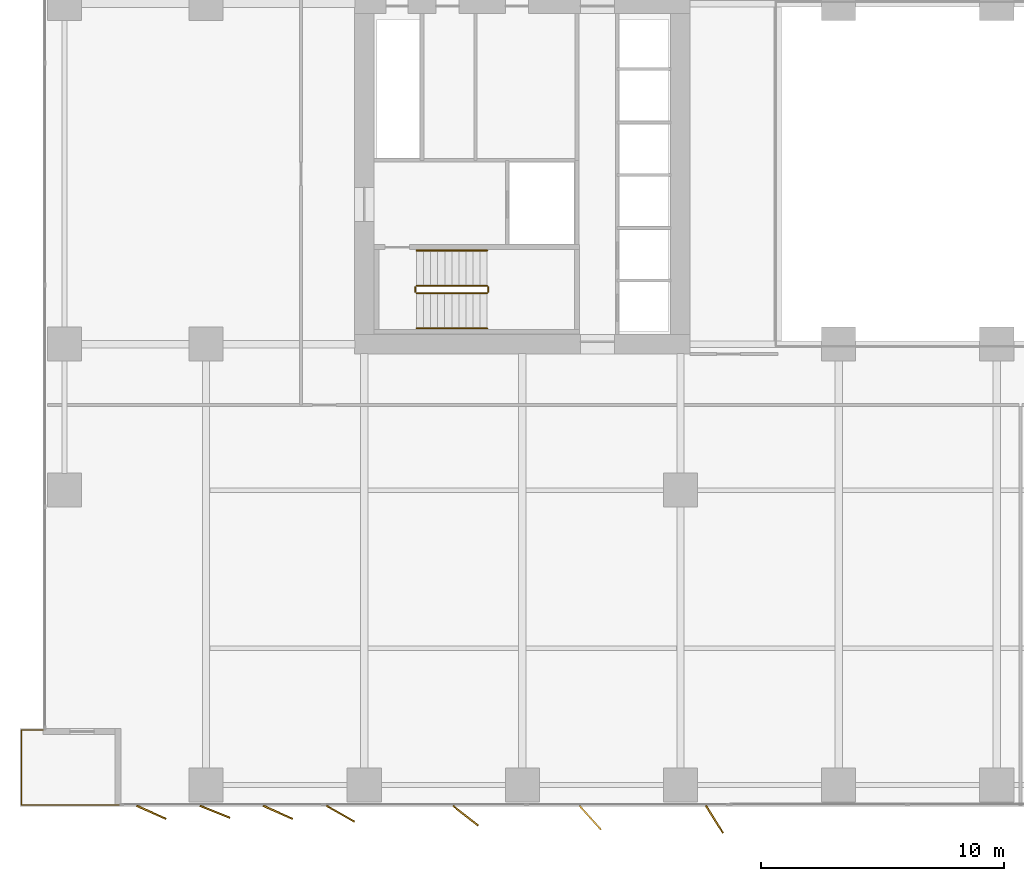
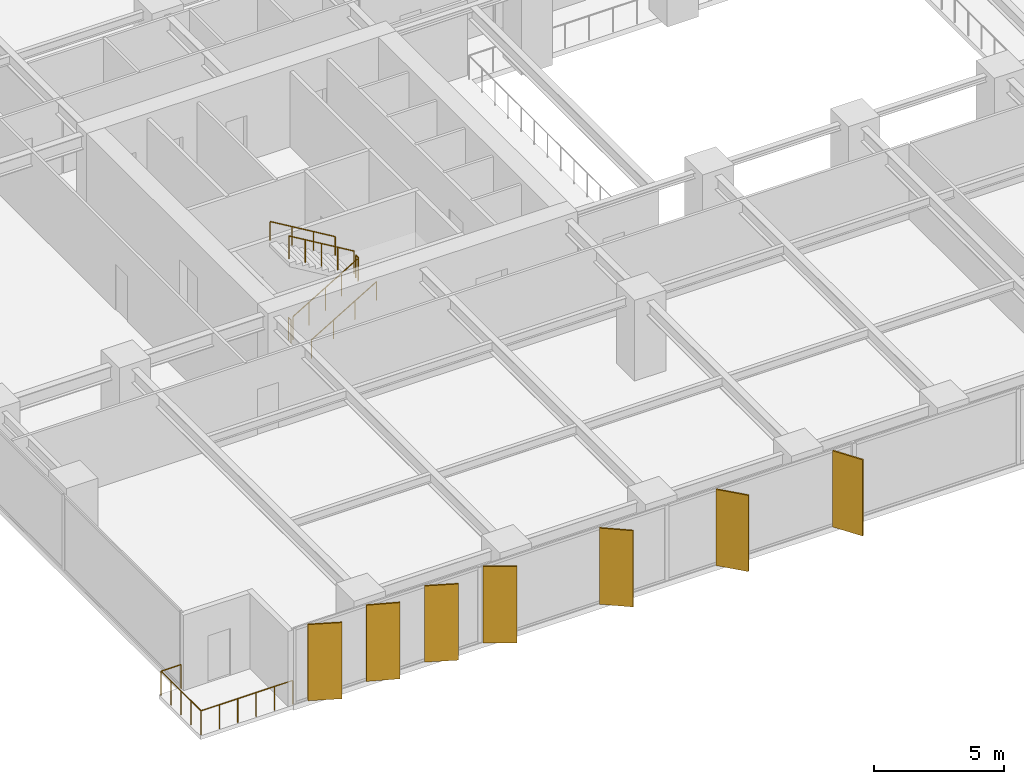
# One storey, part 17 of 20: 7 railings, 7 shading devices.
"""IFC4 building model written with IfcOpenShell, lengths in metres."""

from ifc_helpers import new_model, si_unit, direction, frame, origin, origin_2d, place, context, subcontext, project, spatial, rectangle, circle, extrude, material, layer, layer_set, type_object, element, save


model = new_model("IFC4")

# Units and contexts
model_context = context("Model", 3, precision=1e-05, world=origin(), true_north=direction((0.0, 1.0)))
body_context = subcontext(model_context, "Body", "Model", "MODEL_VIEW")
ifc_project = project(units=[si_unit("LENGTHUNIT", "METRE"), si_unit("AREAUNIT", "SQUARE_METRE"), si_unit("VOLUMEUNIT", "CUBIC_METRE"), si_unit("PLANEANGLEUNIT", "RADIAN"), si_unit("MASSUNIT", "GRAM", prefix="KILO")], contexts=[model_context])

# Site, building, storey
site_placement = place(None, origin())
site = spatial("IfcSite", under=ifc_project, at=site_placement, CompositionType="ELEMENT")
building_placement = place(site_placement, origin())
building = spatial("IfcBuilding", under=site, at=building_placement, Name="Putna Gate Headquarters", CompositionType="ELEMENT")
storey_placement = place(building_placement, frame((0.0, 0.0, 27.800048828125)))
storey = spatial("IfcBuildingStorey", under=building, at=storey_placement, Name="L05", CompositionType="ELEMENT", Elevation=27.800048828125)

# Railings
ifc_material_1 = material(Name="Powder-coated steel stair guardrail", Category="steel")
railing_type_1 = type_object("IfcRailingType", Name="RAIL-STAIR-GUARD-1100", PredefinedType="GUARDRAIL", material=ifc_material_1)
railing_1_placement = place(storey_placement, frame((15.14990234375, 21.10009765625, 0.172607421875)))
element("IfcRailing", 1, at=railing_1_placement, inside=storey, type_object=railing_type_1, Name="L05 ST1 stair guard 1", PredefinedType="GUARDRAIL", context=body_context, shape_type="SweptSolid", body=[
    extrude(circle(Radius=0.02392578125, at=origin_2d()), frame((0.0, 0.0, 1.076171875), z_axis=(0.859160404282, 0.0, 0.51170636083), x_axis=(0.0, 1.0, 0.0)), (0.0, 0.0, 1.0), 3.37548828125),
    extrude(circle(Radius=0.02099609375, at=origin_2d()), origin(), (0.0, 0.0, 1.0), 1.052001953125),
    extrude(circle(Radius=0.02099609375, at=origin_2d()), frame((0.72509765625, 0.0, 0.431884765625)), (0.0, 0.0, 1.0), 1.052001953125),
    extrude(circle(Radius=0.02099609375, at=origin_2d()), frame((1.4501953125, 0.0, 0.86376953125)), (0.0, 0.0, 1.0), 1.052001953125),
    extrude(circle(Radius=0.02099609375, at=origin_2d()), frame((2.175048828125, 0.0, 1.29541015625)), (0.0, 0.0, 1.0), 1.052001953125),
    extrude(circle(Radius=0.02099609375, at=origin_2d()), frame((2.900146484375, 0.0, 1.727294921875)), (0.0, 0.0, 1.0), 1.052001953125),
])
railing_2_placement = place(storey_placement, frame((18.10009765625, 21.14990234375, 1.89990234375)))
element("IfcRailing", 2, at=railing_2_placement, inside=storey, type_object=railing_type_1, Name="L05 ST1 stair guard 2", PredefinedType="GUARDRAIL", context=body_context, shape_type="SweptSolid", body=[
    extrude(circle(Radius=0.02392578125, at=origin_2d()), frame((0.0, 0.0, 1.076171875), z_axis=(0.0, 1.0, 0.0), x_axis=(-1.0, 0.0, 0.0)), (0.0, 0.0, 1.0), 0.2001953125),
    extrude(circle(Radius=0.02099609375, at=origin_2d()), origin(), (0.0, 0.0, 1.0), 1.052001953125),
    extrude(circle(Radius=0.02099609375, at=origin_2d()), frame((0.0, 0.2001953125, 0.0)), (0.0, 0.0, 1.0), 1.052001953125),
])
railing_3_placement = place(storey_placement, frame((18.050048828125, 21.39990234375, 2.07275390625)))
element("IfcRailing", 3, at=railing_3_placement, inside=storey, type_object=railing_type_1, Name="L05 ST1 stair guard 3", PredefinedType="GUARDRAIL", context=body_context, shape_type="SweptSolid", body=[
    extrude(circle(Radius=0.02392578125, at=origin_2d()), frame((0.0, 0.0, 1.076171875), z_axis=(-0.859160404282, 0.0, 0.51170636083), x_axis=(0.0, -1.0, 0.0)), (0.0, 0.0, 1.0), 3.37548828125),
    extrude(circle(Radius=0.02099609375, at=origin_2d()), origin(), (0.0, 0.0, 1.0), 1.052001953125),
    extrude(circle(Radius=0.02099609375, at=origin_2d()), frame((-0.72509765625, 0.0, 0.431884765625)), (0.0, 0.0, 1.0), 1.052001953125),
    extrude(circle(Radius=0.02099609375, at=origin_2d()), frame((-1.4501953125, 0.0, 0.86376953125)), (0.0, 0.0, 1.0), 1.052001953125),
    extrude(circle(Radius=0.02099609375, at=origin_2d()), frame((-2.175048828125, 0.0, 1.29541015625)), (0.0, 0.0, 1.0), 1.052001953125),
    extrude(circle(Radius=0.02099609375, at=origin_2d()), frame((-2.900146484375, 0.0, 1.727294921875)), (0.0, 0.0, 1.0), 1.052001953125),
])
railing_4_placement = place(storey_placement, frame((15.10009765625, 21.14990234375, 0.0)))
element("IfcRailing", 4, at=railing_4_placement, inside=storey, type_object=railing_type_1, Name="L05 ST1 stair guard 4", PredefinedType="GUARDRAIL", context=body_context, shape_type="SweptSolid", body=[
    extrude(circle(Radius=0.02392578125, at=origin_2d()), frame((0.0, 0.0, 1.076171875), z_axis=(0.0, 1.0, 0.0), x_axis=(-1.0, 0.0, 0.0)), (0.0, 0.0, 1.0), 0.2001953125),
    extrude(circle(Radius=0.02099609375, at=origin_2d()), origin(), (0.0, 0.0, 1.0), 1.052001953125),
    extrude(circle(Radius=0.02099609375, at=origin_2d()), frame((0.0, 0.2001953125, 0.0)), (0.0, 0.0, 1.0), 1.052001953125),
])
ifc_material_2 = material(Name="Brushed stainless steel handrail", Category="steel")
railing_type_2 = type_object("IfcRailingType", Name="RAIL-STAIR-HAND-900", PredefinedType="HANDRAIL", material=ifc_material_2)
railing_5_placement = place(storey_placement, frame((15.14990234375, 19.64990234375, 0.172607421875)))
element("IfcRailing", 5, at=railing_5_placement, inside=storey, type_object=railing_type_2, Name="L05 ST1 stair handrail 1", PredefinedType="HANDRAIL", context=body_context, shape_type="SweptSolid", body=[
    extrude(circle(Radius=0.02392578125, at=origin_2d()), frame((0.0, 0.0, 0.8759765625), z_axis=(0.859160404282, 0.0, 0.51170636083), x_axis=(0.0, 1.0, 0.0)), (0.0, 0.0, 1.0), 3.37548828125),
    extrude(circle(Radius=0.02099609375, at=origin_2d()), origin(), (0.0, 0.0, 1.0), 0.851806640625),
    extrude(circle(Radius=0.02099609375, at=origin_2d()), frame((0.966796875, 0.0, 0.57568359375)), (0.0, 0.0, 1.0), 0.851806640625),
    extrude(circle(Radius=0.02099609375, at=origin_2d()), frame((1.933349609375, 0.0, 1.151611328125)), (0.0, 0.0, 1.0), 0.851806640625),
    extrude(circle(Radius=0.02099609375, at=origin_2d()), frame((2.900146484375, 0.0, 1.727294921875)), (0.0, 0.0, 1.0), 0.851806640625),
])
railing_6_placement = place(storey_placement, frame((18.050048828125, 22.85009765625, 2.07275390625)))
element("IfcRailing", 6, at=railing_6_placement, inside=storey, type_object=railing_type_2, Name="L05 ST1 stair handrail 2", PredefinedType="HANDRAIL", context=body_context, shape_type="SweptSolid", body=[
    extrude(circle(Radius=0.02392578125, at=origin_2d()), frame((0.0, 0.0, 0.8759765625), z_axis=(-0.859160404282, 0.0, 0.51170636083), x_axis=(0.0, -1.0, 0.0)), (0.0, 0.0, 1.0), 3.37548828125),
    extrude(circle(Radius=0.02099609375, at=origin_2d()), origin(), (0.0, 0.0, 1.0), 0.851806640625),
    extrude(circle(Radius=0.02099609375, at=origin_2d()), frame((-0.966796875, 0.0, 0.57568359375)), (0.0, 0.0, 1.0), 0.851806640625),
    extrude(circle(Radius=0.02099609375, at=origin_2d()), frame((-1.933349609375, 0.0, 1.151611328125)), (0.0, 0.0, 1.0), 0.851806640625),
    extrude(circle(Radius=0.02099609375, at=origin_2d()), frame((-2.900146484375, 0.0, 1.727294921875)), (0.0, 0.0, 1.0), 0.851806640625),
])
ifc_material_3 = material(Name="Anodised bronze steel and laminated glass guardrail", Category="steel")
railing_type_3 = type_object("IfcRailingType", Name="RAIL-TERR-GUARD-1150", PredefinedType="GUARDRAIL", material=ifc_material_3)
railing_7_placement = place(storey_placement, frame((3.0, 0.06005859375, 0.0)))
element("IfcRailing", 7, at=railing_7_placement, inside=storey, type_object=railing_type_3, Name="L05 Spiral Sky Terrace Guardrail SW", PredefinedType="GUARDRAIL", context=body_context, shape_type="SweptSolid", body=[
    extrude(circle(Radius=0.02392578125, at=origin_2d()), frame((0.0, 0.0, 1.1259765625), z_axis=(-1.0, 0.0, 0.0), x_axis=(0.0, -1.0, 0.0)), (0.0, 0.0, 1.0), 4.090087890625),
    extrude(circle(Radius=0.02392578125, at=origin_2d()), frame((-4.090087890625, 0.0, 1.1259765625), z_axis=(0.0, 1.0, 0.0), x_axis=(-1.0, 0.0, 0.0)), (0.0, 0.0, 1.0), 3.079833984375),
    extrude(circle(Radius=0.02392578125, at=origin_2d()), frame((-4.090087890625, 3.079833984375, 1.1259765625), z_axis=(1.0, 0.0, 0.0), x_axis=(0.0, 1.0, 0.0)), (0.0, 0.0, 1.0), 0.89013671875),
    extrude(circle(Radius=0.02099609375, at=origin_2d()), origin(), (0.0, 0.0, 1.0), 1.101806640625),
    extrude(circle(Radius=0.02099609375, at=origin_2d()), frame((-0.818115234375, 0.0, 0.0)), (0.0, 0.0, 1.0), 1.101806640625),
    extrude(circle(Radius=0.02099609375, at=origin_2d()), frame((-1.635986328125, 0.0, 0.0)), (0.0, 0.0, 1.0), 1.101806640625),
    extrude(circle(Radius=0.02099609375, at=origin_2d()), frame((-2.4541015625, 0.0, 0.0)), (0.0, 0.0, 1.0), 1.101806640625),
    extrude(circle(Radius=0.02099609375, at=origin_2d()), frame((-3.27197265625, 0.0, 0.0)), (0.0, 0.0, 1.0), 1.101806640625),
    extrude(circle(Radius=0.02099609375, at=origin_2d()), frame((-4.090087890625, 0.0, 0.0)), (0.0, 0.0, 1.0), 1.101806640625),
    extrude(circle(Radius=0.02099609375, at=origin_2d()), frame((-4.090087890625, 0.77001953125, 0.0)), (0.0, 0.0, 1.0), 1.101806640625),
    extrude(circle(Radius=0.02099609375, at=origin_2d()), frame((-4.090087890625, 1.5400390625, 0.0)), (0.0, 0.0, 1.0), 1.101806640625),
    extrude(circle(Radius=0.02099609375, at=origin_2d()), frame((-4.090087890625, 2.309814453125, 0.0)), (0.0, 0.0, 1.0), 1.101806640625),
    extrude(circle(Radius=0.02099609375, at=origin_2d()), frame((-4.090087890625, 3.079833984375, 0.0)), (0.0, 0.0, 1.0), 1.101806640625),
    extrude(circle(Radius=0.02099609375, at=origin_2d()), frame((-3.199951171875, 3.079833984375, 0.0)), (0.0, 0.0, 1.0), 1.101806640625),
])

# Shading devices
ifc_material_4 = material(Name="Anodised architectural bronze aluminium fin", Category="aluminium")
ifc_layer = layer(ifc_material_4, 0.06494140625)
ifc_layer_set = layer_set([ifc_layer], Name="Anodised architectural bronze aluminium fin")
shading_device_type = type_object("IfcShadingDeviceType", Name="SHADE-BRONZE-FIN-1320", PredefinedType="USERDEFINED", material=ifc_layer_set)
for number, where, z_axis, x_axis, name in (
    (8, (4.2529296875, -0.2431640625, -0.02001953125), (0.0, 0.0, 1.0), (0.913687379856, -0.40641773078, 0.0), "L05 Bronze Vertical Shading Fin S1"),
    (9, (6.86181640625, -0.22216796875, -0.02001953125), (0.0, 0.0, 1.0), (0.927183854567, -0.374606593416, 0.0), "L05 Bronze Vertical Shading Fin S2"),
    (10, (9.452880859375, -0.2431640625, -0.02001953125), (0.0, 0.0, 1.0), (0.913687379856, -0.40641773078, 0.0), "L05 Bronze Vertical Shading Fin S3"),
    (11, (12.023681640625, -0.30126953125, -0.02001953125), (0.0, 0.0, 1.0), (0.869322458298, -0.494245347472, 0.0), "L05 Bronze Vertical Shading Fin S4"),
    (12, (17.169677734375, -0.3818359375, -0.02001953125), (0.0, 0.0, 1.0), (0.787473187632, -0.616348909921, 0.0), "L05 Bronze Vertical Shading Fin S5"),
    (13, (22.29150390625, -0.465576171875, -0.02001953125), (0.0, 0.0, 1.0), (0.669130606359, -0.743144825477, 0.0), "L05 Bronze Vertical Shading Fin S6"),
    (14, (27.400146484375, -0.534423828125, -0.02001953125), (0.0, 0.0, 1.0), (0.530659123936, -0.847585331506, 0.0), "L05 Bronze Vertical Shading Fin S7"),
):
    element("IfcShadingDevice", number, at=place(storey_placement, frame(where, z_axis=z_axis, x_axis=x_axis)), inside=storey, type_object=shading_device_type, Name=name, ObjectType="FIN", PredefinedType="USERDEFINED", context=body_context, shape_type="SweptSolid", body=[
        extrude(rectangle(XDim=1.320068359375, YDim=0.06494140625, at=origin_2d()), origin(), (0.0, 0.0, 1.0), 3.590087890625),
    ])

save(model, "model.ifc")
